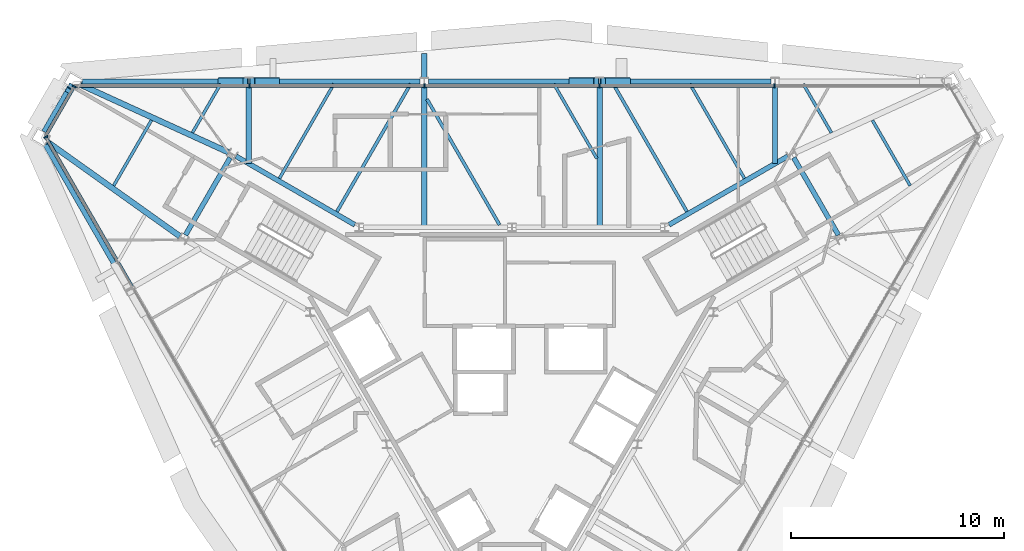
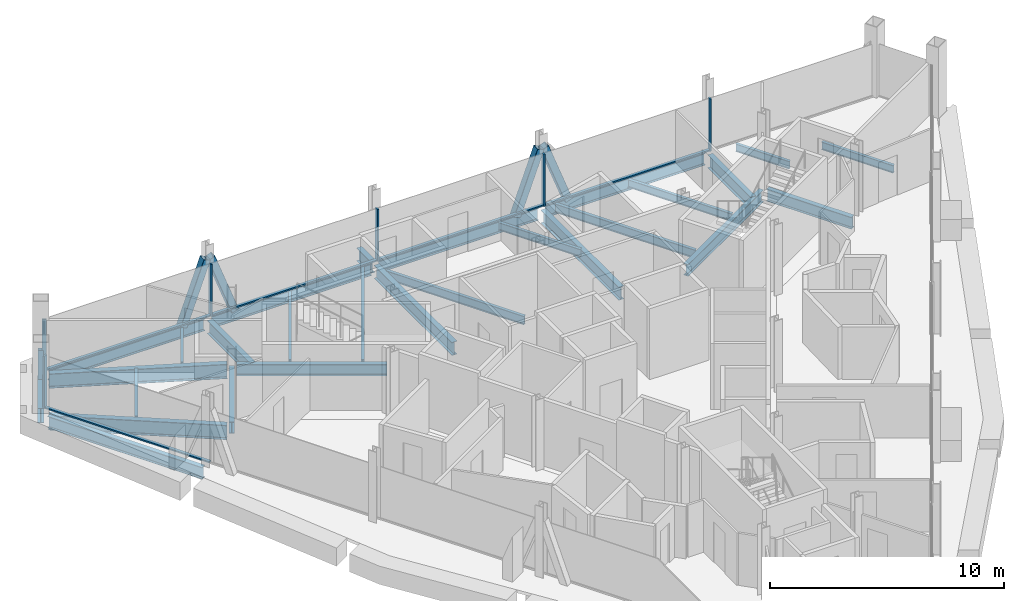
# One storey, part 5 of 13: 27 beams, 17 members, 3 elements without a shape of their own.
"""IFC4 building model written with IfcOpenShell, lengths in metres."""

import ifcopenshell
import ifcopenshell.guid

model = None  # the IFC model being written
_history = None  # IfcOwnerHistory: only IFC2X3 demands one
_inside = {}  # id of a spatial element -> (the spatial element, [elements in it])
_under = {}  # id of a project, library or spatial element -> (it, [spatial elements below it])
_declared = {}  # id of a project -> (the project, [libraries it declares])
_typed = {}  # id of a type object -> (the type object, [elements of that type])
_made_of = {}  # id of a material, layer set ... -> (it, [elements and type objects made of it])


def new_model(schema):
    """Start an empty IFC model of exactly this schema.

    Asked for "IFC4X3", IfcOpenShell would pick the latest addendum, in which some entities
    have other attributes; the version numbers below select the first issue.
    IFC2X3 requires an IfcOwnerHistory on every rooted entity: one is made here for all.
    """
    global model, _history
    if schema == "IFC4X3":
        model = ifcopenshell.file(schema_version=(4, 3, 0, 0))
    else:
        model = ifcopenshell.file(schema=schema)
    _inside.clear()
    _under.clear()
    _declared.clear()
    _typed.clear()
    _made_of.clear()
    _history = None
    if model.schema == "IFC2X3":
        org = make("IfcOrganization", Name="unknown")
        user = make(
            "IfcPersonAndOrganization",
            ThePerson=make("IfcPerson", FamilyName="unknown"),
            TheOrganization=org,
        )
        app = make(
            "IfcApplication",
            ApplicationDeveloper=org,
            Version="unknown",
            ApplicationFullName="unknown",
            ApplicationIdentifier="unknown",
        )
        _history = make(
            "IfcOwnerHistory",
            OwningUser=user,
            OwningApplication=app,
            ChangeAction="ADDED",
            CreationDate=0,
        )
    return model


def make(cls, **values):
    """One entity of the class cls with the attributes given. An attribute that is None is left unset."""
    return model.create_entity(
        cls, **{name: value for name, value in values.items() if value is not None}
    )


def rooted(cls, **values):
    """An entity with a GlobalId (a new one), such as an element, a storey or a relation."""
    return make(cls, GlobalId=ifcopenshell.guid.new(), OwnerHistory=_history, **values)


def si_unit(unit_type, name, prefix=None):
    """IfcSIUnit, for example si_unit("LENGTHUNIT", "METRE", prefix="MILLI")."""
    return make("IfcSIUnit", UnitType=unit_type, Prefix=prefix, Name=name)


def assignment(units):
    """IfcUnitAssignment: the units of a project."""
    return None if units is None else make("IfcUnitAssignment", Units=units)


def point(xyz):
    """IfcCartesianPoint."""
    return None if xyz is None else make("IfcCartesianPoint", Coordinates=xyz)


def direction(xyz):
    """IfcDirection."""
    return None if xyz is None else make("IfcDirection", DirectionRatios=xyz)


def frame(location, z_axis=None, x_axis=None):
    """IfcAxis2Placement3D, a coordinate frame: its origin and axes. An axis left out is left unset."""
    return make(
        "IfcAxis2Placement3D",
        Location=point(location),
        Axis=direction(z_axis),
        RefDirection=direction(x_axis),
    )


def frame_2d(location, x_axis=None):
    """IfcAxis2Placement2D, a coordinate frame in the plane: its origin and x axis."""
    return make(
        "IfcAxis2Placement2D", Location=point(location), RefDirection=direction(x_axis)
    )


def origin():
    """The frame at (0, 0, 0) with its axes left unset."""
    return frame((0.0, 0.0, 0.0))


def origin_2d():
    """The frame at (0, 0) in the plane with its x axis left unset."""
    return frame_2d((0.0, 0.0))


def place(relative_to, where):
    """IfcLocalPlacement: puts the frame where relative to a parent placement (None: the world)."""
    return make(
        "IfcLocalPlacement", PlacementRelTo=relative_to, RelativePlacement=where
    )


def context(
    kind, dimensions, precision=None, world=None, true_north=None, identifier=None
):
    """IfcGeometricRepresentationContext, for example the 3D "Model" context."""
    return make(
        "IfcGeometricRepresentationContext",
        ContextIdentifier=identifier,
        ContextType=kind,
        CoordinateSpaceDimension=dimensions,
        Precision=precision,
        WorldCoordinateSystem=world,
        TrueNorth=true_north,
    )


def subcontext(parent, identifier, kind, view, scale=None):
    """IfcGeometricRepresentationSubContext, for example "Body" below "Model"."""
    return make(
        "IfcGeometricRepresentationSubContext",
        ContextIdentifier=identifier,
        ContextType=kind,
        ParentContext=parent,
        TargetScale=scale,
        TargetView=view,
    )


def project(units=None, contexts=None):
    """IfcProject with its units and contexts."""
    return rooted(
        "IfcProject",
        Name="project",
        RepresentationContexts=contexts,
        UnitsInContext=assignment(units),
    )


def spatial(cls, under=None, at=None, **own):
    """A site, building, storey or space (cls), placed at a placement, below another one or the project."""
    s = rooted(cls, ObjectPlacement=at, **own)
    if under is not None:
        _under.setdefault(under.id(), (under, []))[1].append(s)
    return s


def profile(cls, at=None, kind="AREA", **sizes):
    """A parametric profile (cls). Its sizes go by their IFC names, for example OverallWidth=200.0."""
    return make(cls, ProfileType=kind, Position=at, **sizes)


def rectangle(**sizes):
    """IfcRectangleProfileDef."""
    return profile("IfcRectangleProfileDef", **sizes)


def hollow_rectangle(**sizes):
    """IfcRectangleHollowProfileDef."""
    return profile("IfcRectangleHollowProfileDef", **sizes)


def i_section(**sizes):
    """IfcIShapeProfileDef."""
    return profile("IfcIShapeProfileDef", **sizes)


def extrude(swept, where, along, depth):
    """IfcExtrudedAreaSolid: the profile swept, set in the frame where, extruded along a direction by depth."""
    return make(
        "IfcExtrudedAreaSolid",
        SweptArea=swept,
        Position=where,
        ExtrudedDirection=direction(along),
        Depth=depth,
    )


def shape(context_of_items, identifier, shape_type, items):
    """IfcShapeRepresentation: the items that make up one representation, for example the "Body"."""
    return make(
        "IfcShapeRepresentation",
        ContextOfItems=context_of_items,
        RepresentationIdentifier=identifier,
        RepresentationType=shape_type,
        Items=items,
    )


def material(Name=None, Category=None):
    """IfcMaterial."""
    return make("IfcMaterial", Name=Name, Category=Category)


def material_profile(
    of_material, cross_section, Name=None, Category=None, Priority=None
):
    """IfcMaterialProfile: a cross section and its material."""
    return make(
        "IfcMaterialProfile",
        Name=Name,
        Material=of_material,
        Profile=cross_section,
        Priority=Priority,
        Category=Category,
    )


def profile_set(profiles, Name=None, composite=None):
    """IfcMaterialProfileSet."""
    return make(
        "IfcMaterialProfileSet",
        Name=Name,
        MaterialProfiles=profiles,
        CompositeProfile=composite,
    )


def made_of(thing, what):
    """Note that an element or type object is made of a material, layer set ...; save() writes the relation."""
    if what is not None:
        _made_of.setdefault(what.id(), (what, []))[1].append(thing)
    return thing


def type_object(cls, material=None, **own):
    """A type object (cls), such as IfcWallType, which elements share."""
    return made_of(rooted(cls, **own), material)


def element(
    cls,
    number,
    at=None,
    inside=None,
    cuts=None,
    type_object=None,
    material=None,
    context=None,
    identifier="Body",
    shape_type=None,
    held_by="IfcProductDefinitionShape",
    body=None,
    shapes=None,
    **own,
):
    """One element of the class cls, such as IfcWall. Its Tag is "e" and its number.

    at: its placement. inside: the storey or other place that contains it. cuts: it is an
    opening in that element (IfcRelVoidsElement). A single representation is given by context,
    identifier, shape_type and body (its items); several are given by shapes. held_by: the class
    of the entity that holds the representations. save() writes the other relations.
    """
    e = rooted(cls, Tag="e%d" % number, ObjectPlacement=at, **own)
    if body is not None:
        shapes = [shape(context, identifier, shape_type, body)]
    if shapes is not None:
        e.Representation = make(held_by, Representations=shapes)
    if inside is not None:
        _inside.setdefault(inside.id(), (inside, []))[1].append(e)
    if cuts is not None:
        rooted(
            "IfcRelVoidsElement", RelatingBuildingElement=cuts, RelatedOpeningElement=e
        )
    if type_object is not None:
        _typed.setdefault(type_object.id(), (type_object, []))[1].append(e)
    return made_of(e, material)


def aggregate(whole, parts):
    """IfcRelAggregates: a whole, such as a stair, and the parts it consists of."""
    return rooted("IfcRelAggregates", RelatingObject=whole, RelatedObjects=parts)


def save(model, path):
    """Write the relations noted so far, then the file.

    IfcRelAggregates (storeys below a building ...), IfcRelContainedInSpatialStructure (elements
    in a storey), IfcRelDefinesByType, IfcRelAssociatesMaterial and IfcRelDeclares: one each for
    every whole, place, type object, material and project.
    """
    for whole, parts in _under.values():
        aggregate(whole, parts)
    for where, things in _inside.values():
        rooted(
            "IfcRelContainedInSpatialStructure",
            RelatedElements=things,
            RelatingStructure=where,
        )
    for kind, things in _typed.values():
        rooted("IfcRelDefinesByType", RelatedObjects=things, RelatingType=kind)
    for what, things in _made_of.values():
        rooted("IfcRelAssociatesMaterial", RelatedObjects=things, RelatingMaterial=what)
    for by, libraries in _declared.values():
        rooted("IfcRelDeclares", RelatingContext=by, RelatedDefinitions=libraries)
    model.write(path)


model = new_model("IFC4")

# Units and contexts
model_context = context("Model", 3, precision=1e-05, world=origin(), true_north=direction((0.0, 1.0)))
body_context = subcontext(model_context, "Body", "Model", "MODEL_VIEW")
ifc_project = project(units=[si_unit("LENGTHUNIT", "METRE"), si_unit("AREAUNIT", "SQUARE_METRE"), si_unit("VOLUMEUNIT", "CUBIC_METRE"), si_unit("PLANEANGLEUNIT", "RADIAN"), si_unit("MASSUNIT", "GRAM", prefix="KILO")], contexts=[model_context])

# Site, building, storey
site_placement = place(None, origin())
site = spatial("IfcSite", under=ifc_project, at=site_placement, CompositionType="ELEMENT")
building_placement = place(site_placement, origin())
building = spatial("IfcBuilding", under=site, at=building_placement, Name="Verrane Prism Tower", CompositionType="ELEMENT")
storey_placement = place(building_placement, frame((0.0, 0.0, 282.5)))
storey = spatial("IfcBuildingStorey", under=building, at=storey_placement, Name="L71", CompositionType="ELEMENT", Elevation=282.5)

# Member
ifc_material_1 = material(Name="Steel A500 Grade C", Category="steel")
ifc_material_profile_1 = material_profile(ifc_material_1, hollow_rectangle(XDim=0.25390625, YDim=0.25390625, WallThickness=0.009521484375, InnerFilletRadius=0.0048828125, OuterFilletRadius=0.014404296875, at=origin_2d()), Name="HSS10x10x3/8")
ifc_profile_set_1 = profile_set([ifc_material_profile_1], Name="Steel A500 Grade C")
member_type_1 = type_object("IfcMemberType", Name="Chamfer brace HSS10x10x3/8", PredefinedType="BRACE", material=ifc_profile_set_1)
member_1_placement = place(storey_placement, frame((-20.8330078125, 13.24658203125, -0.24267578125), z_axis=(0.067786070904, 0.117484586728, 0.990758507646), x_axis=(-0.866164837017, 0.499758416753, 0.0)))
element("IfcMember", 1, at=member_1_placement, inside=storey, type_object=member_type_1, Name="Chamfer brace NW0 L71", PredefinedType="BRACE", context=body_context, shape_type="SweptSolid", body=[
    extrude(hollow_rectangle(XDim=0.25390625, YDim=0.25390625, WallThickness=0.009521484375, InnerFilletRadius=0.0048828125, OuterFilletRadius=0.014404296875, at=origin_2d()), origin(), (0.0, 0.0, 1.0), 1.4443359375),
])

# Beams
ifc_material_2 = material(Name="Steel A992", Category="steel")
ifc_material_profile_2 = material_profile(ifc_material_2, i_section(OverallWidth=0.2666015625, OverallDepth=0.7568359375, WebThickness=0.013916015625, FlangeThickness=0.019287109375, FilletRadius=0.0166015625, at=origin_2d()), Name="W30x108")
ifc_profile_set_2 = profile_set([ifc_material_profile_2], Name="Steel A992")
beam_type_1 = type_object("IfcBeamType", Name="Chamfer spandrel beam W30x108", PredefinedType="SPANDREL", material=ifc_profile_set_2)
beam_1_placement = place(storey_placement, frame((-20.75, 13.390380859375, -0.53857421875), z_axis=(-0.500436097356, -0.865773476415, 0.0), x_axis=(0.865773476415, -0.500436097356, 0.0)))
element("IfcBeam", 2, at=beam_1_placement, inside=storey, type_object=beam_type_1, Name="Chamfer spandrel beam L71", PredefinedType="SPANDREL", context=body_context, shape_type="SweptSolid", body=[
    extrude(i_section(OverallWidth=0.2666015625, OverallDepth=0.7568359375, WebThickness=0.013916015625, FlangeThickness=0.019287109375, FilletRadius=0.0166015625, at=origin_2d()), origin(), (0.0, 0.0, 1.0), 2.437744140625),
])
ifc_material_3 = material(Name="Steel A992", Category="steel")
ifc_material_profile_3 = material_profile(ifc_material_3, i_section(OverallWidth=0.23046875, OverallDepth=0.6171875, WebThickness=0.01318359375, FlangeThickness=0.022216796875, FilletRadius=0.012939453125, at=origin_2d()), Name="W24x94")
ifc_profile_set_3 = profile_set([ifc_material_profile_3], Name="Steel A992")
beam_type_2 = type_object("IfcBeamType", Name="Core ring girder W24x94", PredefinedType="BEAM", material=ifc_profile_set_3)
beam_2_placement = place(storey_placement, frame((15.339599609375, 6.43359375, -0.55859375), z_axis=(-0.500306681185, 0.865848268903, 0.0), x_axis=(-0.865848268903, -0.500306681185, 0.0)))
element("IfcBeam", 3, at=beam_2_placement, inside=storey, type_object=beam_type_2, Name="Core ring girder L71", PredefinedType="BEAM", context=body_context, shape_type="SweptSolid", body=[
    extrude(i_section(OverallWidth=0.23046875, OverallDepth=0.6171875, WebThickness=0.01318359375, FlangeThickness=0.022216796875, FilletRadius=0.012939453125, at=origin_2d()), origin(), (0.0, 0.0, 1.0), 4.195556640625),
])
for number, where, z_axis, x_axis, name in (
    (4, (12.96728515625, 10.140380859375, -0.55859375), (-0.866080992722, -0.499903704773, 0.0), (0.499903704773, -0.866080992722, 0.0), "Core ring girder L71"),
    (5, (-7.37939453125, 6.9150390625, -0.55859375), (-0.866080992722, 0.499903704773, 0.0), (-0.499903704773, -0.866080992722, 0.0), "Core ring girder L71"),
):
    element("IfcBeam", number, at=place(storey_placement, frame(where, z_axis=z_axis, x_axis=x_axis)), inside=storey, type_object=beam_type_2, Name=name, PredefinedType="BEAM", context=body_context, shape_type="SweptSolid", body=[
        extrude(i_section(OverallWidth=0.23046875, OverallDepth=0.6171875, WebThickness=0.01318359375, FlangeThickness=0.022216796875, FilletRadius=0.012939453125, at=origin_2d()), origin(), (0.0, 0.0, 1.0), 6.451904296875),
    ])
beam_3_placement = place(storey_placement, frame((-13.240478515625, 10.06640625, -0.55859375), z_axis=(-0.500306681185, -0.865848268903, 0.0), x_axis=(0.865848268903, -0.500306681185, 0.0)))
element("IfcBeam", 6, at=beam_3_placement, inside=storey, type_object=beam_type_2, Name="Core ring girder L71", PredefinedType="BEAM", context=body_context, shape_type="SweptSolid", body=[
    extrude(i_section(OverallWidth=0.23046875, OverallDepth=0.6171875, WebThickness=0.01318359375, FlangeThickness=0.022216796875, FilletRadius=0.012939453125, at=origin_2d()), origin(), (0.0, 0.0, 1.0), 4.195556640625),
])
ifc_material_4 = material(Name="Steel A992", Category="steel")
ifc_material_profile_4 = material_profile(ifc_material_4, i_section(OverallWidth=0.2666015625, OverallDepth=0.7568359375, WebThickness=0.013916015625, FlangeThickness=0.019287109375, FilletRadius=0.0166015625, at=origin_2d()), Name="W30x108")
ifc_profile_set_4 = profile_set([ifc_material_profile_4], Name="Steel A992")
beam_type_3 = type_object("IfcBeamType", Name="Corner girder W30x108", PredefinedType="BEAM", material=ifc_profile_set_4)
for number, where, z_axis, x_axis, name in (
    (7, (-20.2802734375, 13.50390625, -0.598388671875), (0.909481370613, -0.415744677065, 0.0), (0.415744677065, 0.909481370613, 0.0), "Corner girder L71"),
    (8, (-21.833740234375, 10.81591796875, -0.598388671875), (0.814401339816, -0.580302040067, 0.0), (0.580302040067, 0.814401339816, 0.0), "Corner girder L71"),
):
    element("IfcBeam", number, at=place(storey_placement, frame(where, z_axis=z_axis, x_axis=x_axis)), inside=storey, type_object=beam_type_3, Name=name, PredefinedType="BEAM", context=body_context, shape_type="SweptSolid", body=[
        extrude(i_section(OverallWidth=0.2666015625, OverallDepth=0.7568359375, WebThickness=0.013916015625, FlangeThickness=0.019287109375, FilletRadius=0.0166015625, at=origin_2d()), origin(), (0.0, 0.0, 1.0), 7.650634765625),
    ])

# Members
ifc_material_5 = material(Name="Steel A500 Grade C", Category="steel")
ifc_material_profile_5 = material_profile(ifc_material_5, hollow_rectangle(XDim=0.355712890625, YDim=0.355712890625, WallThickness=0.0126953125, InnerFilletRadius=0.00634765625, OuterFilletRadius=0.01904296875, at=origin_2d()), Name="HSS14x14x1/2")
ifc_profile_set_5 = profile_set([ifc_material_profile_5], Name="Steel A500 Grade C")
member_type_2 = type_object("IfcMemberType", Name="Facade brace HSS14x14x1/2", PredefinedType="BRACE", material=ifc_profile_set_5)
for number, where, z_axis, x_axis, name in (
    (9, (5.39990234375, 13.64990234375, -0.216796875), (-0.347969516513, 0.0, 0.93750584829), (0.0, -1.0, 0.0), "Facade brace N1 L71"),
    (10, (2.840087890625, 13.64990234375, -0.216796875), (0.347969516513, 0.0, 0.93750584829), (0.0, 1.0, 0.0), "Facade brace N2 L71"),
    (11, (-11.080078125, 13.64990234375, -0.216796875), (-0.347969516513, 0.0, 0.93750584829), (0.0, -1.0, 0.0), "Facade brace N3 L71"),
    (12, (-13.639892578125, 13.64990234375, -0.216796875), (0.347969516513, 0.0, 0.93750584829), (0.0, 1.0, 0.0), "Facade brace N4 L71"),
):
    element("IfcMember", number, at=place(storey_placement, frame(where, z_axis=z_axis, x_axis=x_axis)), inside=storey, type_object=member_type_2, Name=name, PredefinedType="BRACE", context=body_context, shape_type="SweptSolid", body=[
        extrude(hollow_rectangle(XDim=0.355712890625, YDim=0.355712890625, WallThickness=0.0126953125, InnerFilletRadius=0.00634765625, OuterFilletRadius=0.01904296875, at=origin_2d()), origin(), (0.0, 0.0, 1.0), 3.361328125),
    ])

# Beams
ifc_material_6 = material(Name="Steel A992", Category="steel")
ifc_material_profile_6 = material_profile(ifc_material_6, i_section(OverallWidth=0.140380859375, OverallDepth=0.40380859375, WebThickness=0.007080078125, FlangeThickness=0.01123046875, FilletRadius=0.01025390625, at=origin_2d()), Name="W16x31")
ifc_profile_set_6 = profile_set([ifc_material_profile_6], Name="Steel A992")
beam_type_4 = type_object("IfcBeamType", Name="Floor beam W16x31", PredefinedType="BEAM", material=ifc_profile_set_6)
beam_4_placement = place(storey_placement, frame((15.01123046875, 11.2421875, -0.36181640625), z_axis=(-0.50007632508, 0.865981332994, 0.0), x_axis=(-0.865981332994, -0.50007632508, 0.0)))
element("IfcBeam", 13, at=beam_4_placement, inside=storey, type_object=beam_type_4, Name="Floor beam L71", PredefinedType="BEAM", context=body_context, shape_type="SweptSolid", body=[
    extrude(i_section(OverallWidth=0.140380859375, OverallDepth=0.40380859375, WebThickness=0.007080078125, FlangeThickness=0.01123046875, FilletRadius=0.01025390625, at=origin_2d()), origin(), (0.0, 0.0, 1.0), 2.6474609375),
])
beam_5_placement = place(storey_placement, frame((10.925048828125, 9.094482421875, -0.36181640625), z_axis=(-0.500005474671, 0.866022242959, 0.0), x_axis=(-0.866022242959, -0.500005474671, 0.0)))
element("IfcBeam", 14, at=beam_5_placement, inside=storey, type_object=beam_type_4, Name="Floor beam L71", PredefinedType="BEAM", context=body_context, shape_type="SweptSolid", body=[
    extrude(i_section(OverallWidth=0.140380859375, OverallDepth=0.40380859375, WebThickness=0.007080078125, FlangeThickness=0.01123046875, FilletRadius=0.01025390625, at=origin_2d()), origin(), (0.0, 0.0, 1.0), 5.12744140625),
])
beam_6_placement = place(storey_placement, frame((3.992919921875, 10.029296875, -0.36181640625), z_axis=(-0.499992196334, 0.866029909186, 0.0), x_axis=(-0.866029909186, -0.499992196334, 0.0)))
element("IfcBeam", 15, at=beam_6_placement, inside=storey, type_object=beam_type_4, Name="Floor beam L71", PredefinedType="BEAM", context=body_context, shape_type="SweptSolid", body=[
    extrude(i_section(OverallWidth=0.140380859375, OverallDepth=0.40380859375, WebThickness=0.007080078125, FlangeThickness=0.01123046875, FilletRadius=0.01025390625, at=origin_2d()), origin(), (0.0, 0.0, 1.0), 4.0478515625),
])
beam_7_placement = place(storey_placement, frame((-10.925048828125, 9.094482421875, -0.36181640625), z_axis=(0.500005474671, 0.866022242959, 0.0), x_axis=(-0.866022242959, 0.500005474671, 0.0)))
element("IfcBeam", 16, at=beam_7_placement, inside=storey, type_object=beam_type_4, Name="Floor beam L71", PredefinedType="BEAM", context=body_context, shape_type="SweptSolid", body=[
    extrude(i_section(OverallWidth=0.140380859375, OverallDepth=0.40380859375, WebThickness=0.007080078125, FlangeThickness=0.01123046875, FilletRadius=0.01025390625, at=origin_2d()), origin(), (0.0, 0.0, 1.0), 5.12744140625),
])
beam_8_placement = place(storey_placement, frame((-15.01123046875, 11.2421875, -0.36181640625), z_axis=(0.50007632508, 0.865981332994, 0.0), x_axis=(-0.865981332994, 0.50007632508, 0.0)))
element("IfcBeam", 17, at=beam_8_placement, inside=storey, type_object=beam_type_4, Name="Floor beam L71", PredefinedType="BEAM", context=body_context, shape_type="SweptSolid", body=[
    extrude(i_section(OverallWidth=0.140380859375, OverallDepth=0.40380859375, WebThickness=0.007080078125, FlangeThickness=0.01123046875, FilletRadius=0.01025390625, at=origin_2d()), origin(), (0.0, 0.0, 1.0), 2.6474609375),
])
for number, where, z_axis, x_axis, name in (
    (18, (18.712158203125, 8.755615234375, -0.36181640625), (-0.499986454343, 0.866033224232, 0.0), (-0.866033224232, -0.499986454343, 0.0), "Floor beam L71"),
    (19, (-18.712158203125, 8.755615234375, -0.36181640625), (0.499986454343, 0.866033224232, 0.0), (-0.866033224232, 0.499986454343, 0.0), "Floor beam L71"),
):
    element("IfcBeam", number, at=place(storey_placement, frame(where, z_axis=z_axis, x_axis=x_axis)), inside=storey, type_object=beam_type_4, Name=name, PredefinedType="BEAM", context=body_context, shape_type="SweptSolid", body=[
        extrude(i_section(OverallWidth=0.140380859375, OverallDepth=0.40380859375, WebThickness=0.007080078125, FlangeThickness=0.01123046875, FilletRadius=0.01025390625, at=origin_2d()), origin(), (0.0, 0.0, 1.0), 3.548828125),
    ])
ifc_material_7 = material(Name="Steel A992", Category="steel")
ifc_material_profile_7 = material_profile(ifc_material_7, i_section(OverallWidth=0.15234375, OverallDepth=0.449462890625, WebThickness=0.007568359375, FlangeThickness=0.0107421875, FilletRadius=0.01025390625, at=origin_2d()), Name="W18x35")
ifc_profile_set_7 = profile_set([ifc_material_profile_7], Name="Steel A992")
beam_type_5 = type_object("IfcBeamType", Name="Floor beam W18x35", PredefinedType="BEAM", material=ifc_profile_set_7)
beam_9_placement = place(storey_placement, frame((8.22265625, 7.53466796875, -0.384765625), z_axis=(-0.500012221024, 0.866018347858, 0.0), x_axis=(-0.866018347858, -0.500012221024, 0.0)))
element("IfcBeam", 20, at=beam_9_placement, inside=storey, type_object=beam_type_5, Name="Floor beam L71", PredefinedType="BEAM", context=body_context, shape_type="SweptSolid", body=[
    extrude(i_section(OverallWidth=0.15234375, OverallDepth=0.449462890625, WebThickness=0.007568359375, FlangeThickness=0.0107421875, FilletRadius=0.01025390625, at=origin_2d()), origin(), (0.0, 0.0, 1.0), 6.928466796875),
])
beam_10_placement = place(storey_placement, frame((-0.583251953125, 6.9150390625, -0.384765625), z_axis=(-0.499997234054, 0.866027000698, 0.0), x_axis=(-0.866027000698, -0.499997234054, 0.0)))
element("IfcBeam", 21, at=beam_10_placement, inside=storey, type_object=beam_type_5, Name="Floor beam L71", PredefinedType="BEAM", context=body_context, shape_type="SweptSolid", body=[
    extrude(i_section(OverallWidth=0.15234375, OverallDepth=0.449462890625, WebThickness=0.007568359375, FlangeThickness=0.0107421875, FilletRadius=0.01025390625, at=origin_2d()), origin(), (0.0, 0.0, 1.0), 6.8193359375),
])
beam_11_placement = place(storey_placement, frame((-8.22265625, 7.53466796875, -0.384765625), z_axis=(0.500012221024, 0.866018347858, 0.0), x_axis=(-0.866018347858, 0.500012221024, 0.0)))
element("IfcBeam", 22, at=beam_11_placement, inside=storey, type_object=beam_type_5, Name="Floor beam L71", PredefinedType="BEAM", context=body_context, shape_type="SweptSolid", body=[
    extrude(i_section(OverallWidth=0.15234375, OverallDepth=0.449462890625, WebThickness=0.007568359375, FlangeThickness=0.0107421875, FilletRadius=0.01025390625, at=origin_2d()), origin(), (0.0, 0.0, 1.0), 6.928466796875),
])

# Curtain wall, members
ifc_material_8 = material(Name="Aluminium framed insulated glazing", Category="aluminium")
curtain_wall_type = type_object("IfcCurtainWallType", Name="Curtain wall CW-A 8400 module", PredefinedType="NOTDEFINED", material=ifc_material_8)
curtain_wall_1_placement = place(storey_placement, origin())
curtain_wall_1 = element("IfcCurtainWall", 23, at=curtain_wall_1_placement, inside=storey, type_object=curtain_wall_type, Name="Glazed curtain wall north face L71", PredefinedType="NOTDEFINED")
ifc_material_9 = material(Name="Aluminium alloy 6063-T6", Category="aluminium")
ifc_material_profile_8 = material_profile(ifc_material_9, rectangle(XDim=0.199951171875, YDim=0.070068359375, at=origin_2d()), Name="Mullion 70x200 aluminium")
ifc_profile_set_8 = profile_set([ifc_material_profile_8], Name="Aluminium alloy 6063-T6")
member_type_3 = type_object("IfcMemberType", Name="Mullion 70x200 aluminium", PredefinedType="MULLION", material=ifc_profile_set_8)
member_2_placement = place(storey_placement, frame((12.32763671875, 13.447265625, 0.0), z_axis=(0.0, 0.0, 1.0), x_axis=(0.0, -1.0, 0.0)))
member_2 = element("IfcMember", 24, at=member_2_placement, type_object=member_type_3, Name="CW69.2 mullion 2", PredefinedType="MULLION", context=body_context, shape_type="SweptSolid", body=[
    extrude(rectangle(XDim=0.199951171875, YDim=0.070068359375, at=origin_2d()), origin(), (0.0, 0.0, 1.0), 2.72314453125),
])
member_3_placement = place(storey_placement, frame((4.109130859375, 13.447265625, 0.0), z_axis=(0.0, 0.0, 1.0), x_axis=(0.0, -1.0, 0.0)))
member_3 = element("IfcMember", 25, at=member_3_placement, type_object=member_type_3, Name="CW69.2 mullion 3", PredefinedType="MULLION", context=body_context, shape_type="SweptSolid", body=[
    extrude(rectangle(XDim=0.199951171875, YDim=0.070068359375, at=origin_2d()), origin(), (0.0, 0.0, 1.0), 2.72314453125),
])
member_4_placement = place(storey_placement, frame((-4.109130859375, 13.447265625, 0.0), z_axis=(0.0, 0.0, 1.0), x_axis=(0.0, -1.0, 0.0)))
member_4 = element("IfcMember", 26, at=member_4_placement, type_object=member_type_3, Name="CW69.2 mullion 4", PredefinedType="MULLION", context=body_context, shape_type="SweptSolid", body=[
    extrude(rectangle(XDim=0.199951171875, YDim=0.070068359375, at=origin_2d()), origin(), (0.0, 0.0, 1.0), 2.72314453125),
])
member_5_placement = place(storey_placement, frame((-12.32763671875, 13.447265625, 0.0), z_axis=(0.0, 0.0, 1.0), x_axis=(0.0, -1.0, 0.0)))
member_5 = element("IfcMember", 27, at=member_5_placement, type_object=member_type_3, Name="CW69.2 mullion 5", PredefinedType="MULLION", context=body_context, shape_type="SweptSolid", body=[
    extrude(rectangle(XDim=0.199951171875, YDim=0.070068359375, at=origin_2d()), origin(), (0.0, 0.0, 1.0), 2.72314453125),
])

# Curtain wall, member
curtain_wall_2_placement = place(storey_placement, origin())
curtain_wall_2 = element("IfcCurtainWall", 28, at=curtain_wall_2_placement, inside=storey, type_object=curtain_wall_type, Name="Glazed curtain wall north-west corner L71", PredefinedType="NOTDEFINED")
member_6_placement = place(storey_placement, frame((-20.563720703125, 13.4169921875, 0.0), z_axis=(0.0, 0.0, 1.0), x_axis=(0.866024225493, -0.500002040855, 0.0)))
member_6 = element("IfcMember", 29, at=member_6_placement, type_object=member_type_3, Name="CW69.3 mullion 1", PredefinedType="MULLION", context=body_context, shape_type="SweptSolid", body=[
    extrude(rectangle(XDim=0.199951171875, YDim=0.070068359375, at=origin_2d()), origin(), (0.0, 0.0, 1.0), 2.72314453125),
])

curtain_wall_3_placement = place(storey_placement, origin())
curtain_wall_3 = element("IfcCurtainWall", 30, at=curtain_wall_3_placement, inside=storey, type_object=curtain_wall_type, Name="Glazed curtain wall south-west face L71", PredefinedType="NOTDEFINED")
member_7_placement = place(storey_placement, frame((-21.901123046875, 11.03955078125, 0.0), z_axis=(0.0, 0.0, 1.0), x_axis=(0.866024861728, 0.500000938868, 0.0)))
member_7 = element("IfcMember", 31, at=member_7_placement, type_object=member_type_3, Name="CW69.4 mullion 1", PredefinedType="MULLION", context=body_context, shape_type="SweptSolid", body=[
    extrude(rectangle(XDim=0.199951171875, YDim=0.070068359375, at=origin_2d()), origin(), (0.0, 0.0, 1.0), 2.72314453125),
])

# Beams
ifc_material_10 = material(Name="Steel A992", Category="steel")
ifc_material_profile_9 = material_profile(ifc_material_10, i_section(OverallWidth=0.25390625, OverallDepth=0.683349609375, WebThickness=0.012451171875, FlangeThickness=0.01904296875, FilletRadius=0.01513671875, at=origin_2d()), Name="W27x94")
ifc_profile_set_9 = profile_set([ifc_material_profile_9], Name="Steel A992")
beam_type_6 = type_object("IfcBeamType", Name="Radial girder W27x94", PredefinedType="BEAM", material=ifc_profile_set_9)
beam_12_placement = place(storey_placement, frame((12.360107421875, 13.4619140625, -0.5615234375), z_axis=(0.0, -1.0, 0.0), x_axis=(1.0, 0.0, 0.0)))
element("IfcBeam", 32, at=beam_12_placement, inside=storey, type_object=beam_type_6, Name="Radial girder L71", PredefinedType="BEAM", context=body_context, shape_type="SweptSolid", body=[
    extrude(i_section(OverallWidth=0.25390625, OverallDepth=0.683349609375, WebThickness=0.012451171875, FlangeThickness=0.01904296875, FilletRadius=0.01513671875, at=origin_2d()), origin(), (0.0, 0.0, 1.0), 3.672119140625),
])
for number, where, z_axis, x_axis, name in (
    (33, (4.1201171875, 13.4619140625, -0.5615234375), (0.0, -1.0, 0.0), (1.0, 0.0, 0.0), "Radial girder L71"),
    (34, (-4.1201171875, 13.4619140625, -0.5615234375), (0.0, -1.0, 0.0), (1.0, 0.0, 0.0), "Radial girder L71"),
):
    element("IfcBeam", number, at=place(storey_placement, frame(where, z_axis=z_axis, x_axis=x_axis)), inside=storey, type_object=beam_type_6, Name=name, PredefinedType="BEAM", context=body_context, shape_type="SweptSolid", body=[
        extrude(i_section(OverallWidth=0.25390625, OverallDepth=0.683349609375, WebThickness=0.012451171875, FlangeThickness=0.01904296875, FilletRadius=0.01513671875, at=origin_2d()), origin(), (0.0, 0.0, 1.0), 6.661865234375),
    ])
beam_13_placement = place(storey_placement, frame((-12.360107421875, 13.4619140625, -0.5615234375), z_axis=(0.0, -1.0, 0.0), x_axis=(1.0, 0.0, 0.0)))
element("IfcBeam", 35, at=beam_13_placement, inside=storey, type_object=beam_type_6, Name="Radial girder L71", PredefinedType="BEAM", context=body_context, shape_type="SweptSolid", body=[
    extrude(i_section(OverallWidth=0.25390625, OverallDepth=0.683349609375, WebThickness=0.012451171875, FlangeThickness=0.01904296875, FilletRadius=0.01513671875, at=origin_2d()), origin(), (0.0, 0.0, 1.0), 3.672119140625),
])
beam_14_placement = place(storey_placement, frame((-4.1201171875, 13.833984375, -0.5615234375), z_axis=(0.0, 1.0, 0.0), x_axis=(-1.0, 0.0, 0.0)))
element("IfcBeam", 36, at=beam_14_placement, inside=storey, type_object=beam_type_6, Name="Cantilever girder L71", PredefinedType="BEAM", context=body_context, shape_type="SweptSolid", body=[
    extrude(i_section(OverallWidth=0.25390625, OverallDepth=0.683349609375, WebThickness=0.012451171875, FlangeThickness=0.01904296875, FilletRadius=0.01513671875, at=origin_2d()), origin(), (0.0, 0.0, 1.0), 1.126708984375),
])
ifc_material_11 = material(Name="Steel A992", Category="steel")
ifc_material_profile_10 = material_profile(ifc_material_11, i_section(OverallWidth=0.23046875, OverallDepth=0.6171875, WebThickness=0.01318359375, FlangeThickness=0.022216796875, FilletRadius=0.012939453125, at=origin_2d()), Name="W24x94")
ifc_profile_set_10 = profile_set([ifc_material_profile_10], Name="Steel A992")
beam_type_7 = type_object("IfcBeamType", Name="Spandrel beam W24x94", PredefinedType="SPANDREL", material=ifc_profile_set_10)
for number, where, z_axis, x_axis, name in (
    (37, (12.1630859375, 13.64990234375, -0.468505859375), (-1.0, 0.0, 0.0), (0.0, -1.0, 0.0), "Spandrel beam L71"),
    (38, (3.923095703125, 13.64990234375, -0.468505859375), (-1.0, 0.0, 0.0), (0.0, -1.0, 0.0), "Spandrel beam L71"),
    (39, (-4.31689453125, 13.64990234375, -0.468505859375), (-1.0, 0.0, 0.0), (0.0, -1.0, 0.0), "Spandrel beam L71"),
):
    element("IfcBeam", number, at=place(storey_placement, frame(where, z_axis=z_axis, x_axis=x_axis)), inside=storey, type_object=beam_type_7, Name=name, PredefinedType="SPANDREL", context=body_context, shape_type="SweptSolid", body=[
        extrude(i_section(OverallWidth=0.23046875, OverallDepth=0.6171875, WebThickness=0.01318359375, FlangeThickness=0.022216796875, FilletRadius=0.012939453125, at=origin_2d()), origin(), (0.0, 0.0, 1.0), 7.84619140625),
    ])
beam_15_placement = place(storey_placement, frame((-12.556884765625, 13.64990234375, -0.468505859375), z_axis=(-1.0, 0.0, 0.0), x_axis=(0.0, -1.0, 0.0)))
element("IfcBeam", 40, at=beam_15_placement, inside=storey, type_object=beam_type_7, Name="Spandrel beam L71", PredefinedType="SPANDREL", context=body_context, shape_type="SweptSolid", body=[
    extrude(i_section(OverallWidth=0.23046875, OverallDepth=0.6171875, WebThickness=0.01318359375, FlangeThickness=0.022216796875, FilletRadius=0.012939453125, at=origin_2d()), origin(), (0.0, 0.0, 1.0), 7.638916015625),
])
beam_16_placement = place(storey_placement, frame((-21.91796875, 10.669921875, -0.468505859375), z_axis=(0.499791590914, -0.866145695395, 0.0), x_axis=(0.866145695395, 0.499791590914, 0.0)))
element("IfcBeam", 41, at=beam_16_placement, inside=storey, type_object=beam_type_7, Name="Spandrel beam L71", PredefinedType="SPANDREL", context=body_context, shape_type="SweptSolid", body=[
    extrude(i_section(OverallWidth=0.23046875, OverallDepth=0.6171875, WebThickness=0.01318359375, FlangeThickness=0.022216796875, FilletRadius=0.012939453125, at=origin_2d()), origin(), (0.0, 0.0, 1.0), 7.642333984375),
])

# Member
ifc_material_12 = material(Name="Aluminium alloy 6063-T6", Category="aluminium")
ifc_material_profile_11 = material_profile(ifc_material_12, rectangle(XDim=0.14990234375, YDim=0.070068359375, at=origin_2d()), Name="Transom 70x150 aluminium")
ifc_profile_set_11 = profile_set([ifc_material_profile_11], Name="Aluminium alloy 6063-T6")
member_type_4 = type_object("IfcMemberType", Name="Transom 70x150 aluminium", PredefinedType="USERDEFINED", material=ifc_profile_set_11)
member_8_placement = place(storey_placement, frame((12.292724609375, 13.447265625, 0.034912109375), z_axis=(-1.0, 0.0, 0.0), x_axis=(0.0, -1.0, 0.0)))
member_8 = element("IfcMember", 42, at=member_8_placement, type_object=member_type_4, Name="CW69.2 transom 2", ObjectType="TRANSOM", PredefinedType="USERDEFINED", context=body_context, shape_type="SweptSolid", body=[
    extrude(rectangle(XDim=0.14990234375, YDim=0.070068359375, at=origin_2d()), origin(), (0.0, 0.0, 1.0), 8.1484375),
])

member_9_placement = place(storey_placement, frame((4.07421875, 13.447265625, 0.034912109375), z_axis=(-1.0, 0.0, 0.0), x_axis=(0.0, -1.0, 0.0)))
member_9 = element("IfcMember", 43, at=member_9_placement, type_object=member_type_4, Name="CW69.2 transom 3", ObjectType="TRANSOM", PredefinedType="USERDEFINED", context=body_context, shape_type="SweptSolid", body=[
    extrude(rectangle(XDim=0.14990234375, YDim=0.070068359375, at=origin_2d()), origin(), (0.0, 0.0, 1.0), 8.1484375),
])

member_10_placement = place(storey_placement, frame((-4.144287109375, 13.447265625, 0.034912109375), z_axis=(-1.0, 0.0, 0.0), x_axis=(0.0, -1.0, 0.0)))
member_10 = element("IfcMember", 44, at=member_10_placement, type_object=member_type_4, Name="CW69.2 transom 4", ObjectType="TRANSOM", PredefinedType="USERDEFINED", context=body_context, shape_type="SweptSolid", body=[
    extrude(rectangle(XDim=0.14990234375, YDim=0.070068359375, at=origin_2d()), origin(), (0.0, 0.0, 1.0), 8.1484375),
])

member_11_placement = place(storey_placement, frame((-12.362548828125, 13.447265625, 0.034912109375), z_axis=(-1.0, 0.0, 0.0), x_axis=(0.0, -1.0, 0.0)))
member_11 = element("IfcMember", 45, at=member_11_placement, type_object=member_type_4, Name="CW69.2 transom 5", ObjectType="TRANSOM", PredefinedType="USERDEFINED", context=body_context, shape_type="SweptSolid", body=[
    extrude(rectangle(XDim=0.14990234375, YDim=0.070068359375, at=origin_2d()), origin(), (0.0, 0.0, 1.0), 8.18359375),
])

aggregate(curtain_wall_1, [member_2, member_3, member_4, member_5, member_8, member_9, member_10, member_11])

member_12_placement = place(storey_placement, frame((-20.5810546875, 13.386474609375, 0.034912109375), z_axis=(-0.50003581814, -0.866004723184, 0.0), x_axis=(0.866004723184, -0.50003581814, 0.0)))
member_12 = element("IfcMember", 46, at=member_12_placement, type_object=member_type_4, Name="CW69.3 transom 1", ObjectType="TRANSOM", PredefinedType="USERDEFINED", context=body_context, shape_type="SweptSolid", body=[
    extrude(rectangle(XDim=0.14990234375, YDim=0.070068359375, at=origin_2d()), origin(), (0.0, 0.0, 1.0), 2.675048828125),
])

aggregate(curtain_wall_2, [member_6, member_12])

member_13_placement = place(storey_placement, frame((-21.8837890625, 11.00927734375, 0.034912109375), z_axis=(0.500006361831, -0.866021730749, 0.0), x_axis=(0.866021730749, 0.500006361831, 0.0)))
member_13 = element("IfcMember", 47, at=member_13_placement, type_object=member_type_4, Name="CW69.4 transom 1", ObjectType="TRANSOM", PredefinedType="USERDEFINED", context=body_context, shape_type="SweptSolid", body=[
    extrude(rectangle(XDim=0.14990234375, YDim=0.070068359375, at=origin_2d()), origin(), (0.0, 0.0, 1.0), 8.11376953125),
])

aggregate(curtain_wall_3, [member_7, member_13])

save(model, "model.ifc")
